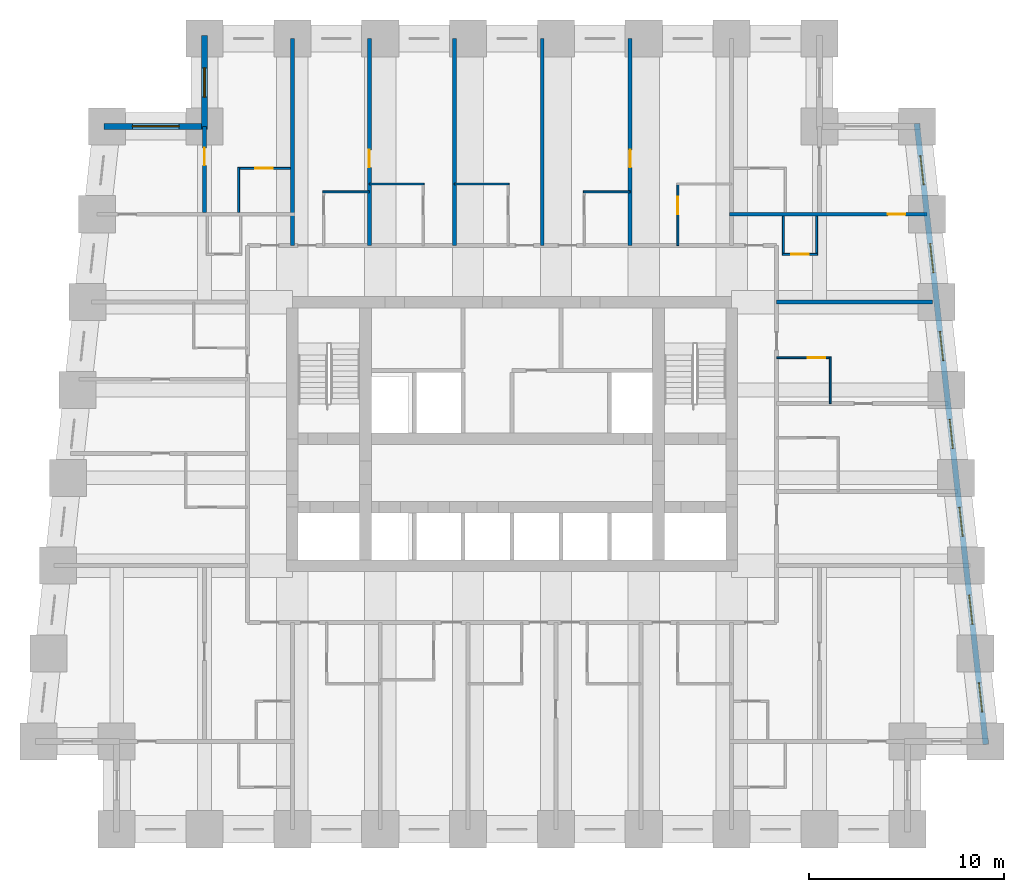
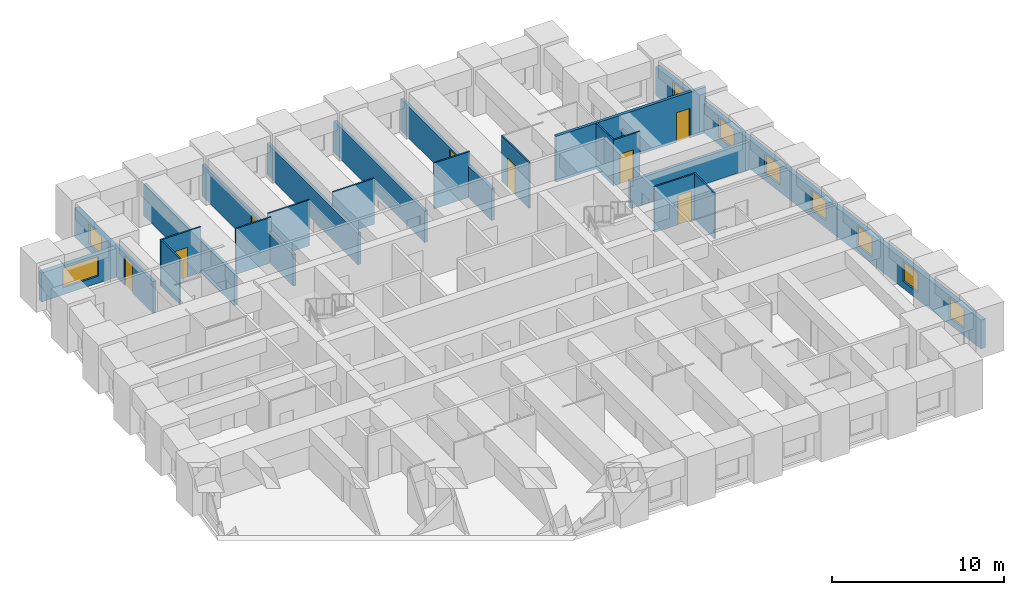
# One storey, part 6 of 8: 23 walls, 9 windows, 8 doors, 17 openings.
"""IFC4 building model written with IfcOpenShell, lengths in metres."""

from ifc_helpers import new_model, si_unit, direction, frame, frame_2d, origin, place, context, subcontext, project, spatial, rectangle, extrude, material, layer, layer_set, type_object, element, fill, save


model = new_model("IFC4")

# Units and contexts
model_context = context("Model", 3, precision=1e-05, world=origin(), true_north=direction((0.0, 1.0)))
body_context = subcontext(model_context, "Body", "Model", "MODEL_VIEW")
ifc_project = project(units=[si_unit("LENGTHUNIT", "METRE"), si_unit("AREAUNIT", "SQUARE_METRE"), si_unit("VOLUMEUNIT", "CUBIC_METRE"), si_unit("PLANEANGLEUNIT", "RADIAN"), si_unit("MASSUNIT", "GRAM", prefix="KILO")], contexts=[model_context])

# Site, building, storey
site_placement = place(None, origin())
site = spatial("IfcSite", under=ifc_project, at=site_placement, CompositionType="ELEMENT")
building_placement = place(site_placement, origin())
building = spatial("IfcBuilding", under=site, at=building_placement, Name="Kilele Tower Hotel", CompositionType="ELEMENT")
storey_placement = place(building_placement, frame((0.0, 0.0, 68.199951171875)))
storey = spatial("IfcBuildingStorey", under=building, at=storey_placement, Name="L16", CompositionType="ELEMENT", Elevation=68.199951171875)

# Wall
ifc_material_1 = material(Name="Moisture-resistant board")
ifc_layer_1 = layer(ifc_material_1, 0.10009765625)
ifc_layer_set_1 = layer_set([ifc_layer_1], Name="Moisture-resistant board")
wall_type_1 = type_object("IfcWallType", Name="Bathroom partition 100", PredefinedType="PLUMBINGWALL", material=ifc_layer_set_1)
wall_1_placement = place(storey_placement, frame((41.050048828125, 21.800048828125, 0.0), z_axis=(0.0, 0.0, 1.0), x_axis=(0.0, 1.0, 0.0)))
element("IfcWall", 1, at=wall_1_placement, inside=storey, type_object=wall_type_1, Name="Bathroom partition 100 L16", PredefinedType="PLUMBINGWALL", context=body_context, shape_type="SweptSolid", body=[
    extrude(rectangle(XDim=2.39990234375, YDim=0.10009765625, at=frame_2d((1.199951171875, 0.0))), origin(), (0.0, 0.0, 1.0), 3.25),
])

# Wall, opening, door
wall_2_placement = place(storey_placement, frame((38.300048828125, 24.14990234375, 0.0), z_axis=(0.0, 0.0, 1.0), x_axis=(1.0, 0.0, 0.0)))
wall_2 = element("IfcWall", 2, at=wall_2_placement, inside=storey, type_object=wall_type_1, Name="Bathroom partition 100 L16", PredefinedType="PLUMBINGWALL", context=body_context, shape_type="SweptSolid", body=[
    extrude(rectangle(XDim=2.800048828125, YDim=0.10009765625, at=frame_2d((1.39990234375, 0.0))), origin(), (0.0, 0.0, 1.0), 3.25),
])
opening_1_placement = place(wall_2_placement, frame((1.60009765625, 0.0, 0.0)))
opening_1 = element("IfcOpeningElement", 3, at=opening_1_placement, cuts=wall_2, Name="Opening D2A", PredefinedType="OPENING", context=body_context, shape_type="SweptSolid", body=[
    extrude(rectangle(XDim=0.89990234375, YDim=2.10009765625, at=frame_2d((0.449951171875, 1.050048828125))), frame((0.0, 0.06005859375, 0.0), z_axis=(0.0, -1.0, 0.0), x_axis=(1.0, 0.0, 0.0)), (0.0, 0.0, 1.0), 0.1201171875),
])
ifc_material_2 = material(Name="Timber door leaf in hardwood frame", Category="wood")
door_type_1 = type_object("IfcDoorType", Name="Bathroom door 900", OperationType="SINGLE_SWING_LEFT", PredefinedType="DOOR", material=ifc_material_2)
door_1_placement = place(opening_1_placement, origin())
door_1 = element("IfcDoor", 4, at=door_1_placement, inside=storey, type_object=door_type_1, Name="Bathroom door 1608B", OperationType="SINGLE_SWING_LEFT", OverallHeight=2.10009765625, OverallWidth=0.89990234375, PredefinedType="DOOR", context=body_context, shape_type="SweptSolid", body=[
    extrude(rectangle(XDim=0.89990234375, YDim=2.10009765625, at=frame_2d((0.449951171875, 1.050048828125))), frame((0.0, 0.02490234375, 0.0), z_axis=(0.0, -1.0, 0.0), x_axis=(1.0, 0.0, 0.0)), (0.0, 0.0, 1.0), 0.050048828125),
])
fill(opening_1, door_1)

# Walls
wall_3_placement = place(storey_placement, frame((15.050048828125, 32.64990234375, 0.0), z_axis=(0.0, 0.0, 1.0), x_axis=(1.0, 0.0, 0.0)))
element("IfcWall", 5, at=wall_3_placement, inside=storey, type_object=wall_type_1, Name="Bathroom partition 100 L16", PredefinedType="PLUMBINGWALL", context=body_context, shape_type="SweptSolid", body=[
    extrude(rectangle(XDim=2.39990234375, YDim=0.10009765625, at=frame_2d((1.199951171875, 0.0))), origin(), (0.0, 0.0, 1.0), 3.25),
])
for number, where, z_axis, x_axis, name in (
    (6, (17.449951171875, 33.050048828125, 0.0), (0.0, 0.0, 1.0), (1.0, 0.0, 0.0), "Bathroom partition 100 L16"),
    (7, (21.800048828125, 33.050048828125, 0.0), (0.0, 0.0, 1.0), (1.0, 0.0, 0.0), "Bathroom partition 100 L16"),
):
    element("IfcWall", number, at=place(storey_placement, frame(where, z_axis=z_axis, x_axis=x_axis)), inside=storey, type_object=wall_type_1, Name=name, PredefinedType="PLUMBINGWALL", context=body_context, shape_type="SweptSolid", body=[
        extrude(rectangle(XDim=2.800048828125, YDim=0.10009765625, at=frame_2d((1.39990234375, 0.0))), origin(), (0.0, 0.0, 1.0), 3.25),
    ])
wall_4_placement = place(storey_placement, frame((28.39990234375, 32.64990234375, 0.0), z_axis=(0.0, 0.0, 1.0), x_axis=(1.0, 0.0, 0.0)))
element("IfcWall", 8, at=wall_4_placement, inside=storey, type_object=wall_type_1, Name="Bathroom partition 100 L16", PredefinedType="PLUMBINGWALL", context=body_context, shape_type="SweptSolid", body=[
    extrude(rectangle(XDim=2.400146484375, YDim=0.10009765625, at=frame_2d((1.2001953125, 0.0))), origin(), (0.0, 0.0, 1.0), 3.25),
])

# Wall, opening, door
wall_5_placement = place(storey_placement, frame((33.25, 29.89990234375, 0.0), z_axis=(0.0, 0.0, 1.0), x_axis=(0.0, 1.0, 0.0)))
wall_5 = element("IfcWall", 9, at=wall_5_placement, inside=storey, type_object=wall_type_1, Name="Bathroom partition 100 L16", PredefinedType="PLUMBINGWALL", context=body_context, shape_type="SweptSolid", body=[
    extrude(rectangle(XDim=3.2001953125, YDim=0.10009765625, at=frame_2d((1.60009765625, 0.0))), origin(), (0.0, 0.0, 1.0), 3.25),
])
opening_2_placement = place(wall_5_placement, frame((1.60009765625, 0.0, 0.0)))
opening_2 = element("IfcOpeningElement", 10, at=opening_2_placement, cuts=wall_5, Name="Opening D2A", PredefinedType="OPENING", context=body_context, shape_type="SweptSolid", body=[
    extrude(rectangle(XDim=0.89990234375, YDim=2.10009765625, at=frame_2d((0.449951171875, 1.050048828125))), frame((0.0, 0.06005859375, 0.0), z_axis=(0.0, -1.0, 0.0), x_axis=(1.0, 0.0, 0.0)), (0.0, 0.0, 1.0), 0.1201171875),
])
door_2_placement = place(opening_2_placement, origin())
door_2 = element("IfcDoor", 11, at=door_2_placement, inside=storey, type_object=door_type_1, Name="Bathroom door 1613B", OperationType="SINGLE_SWING_LEFT", OverallHeight=2.10009765625, OverallWidth=0.89990234375, PredefinedType="DOOR", context=body_context, shape_type="SweptSolid", body=[
    extrude(rectangle(XDim=0.89990234375, YDim=2.10009765625, at=frame_2d((0.449951171875, 1.050048828125))), frame((0.0, 0.02490234375, 0.0), z_axis=(0.0, -1.0, 0.0), x_axis=(1.0, 0.0, 0.0)), (0.0, 0.0, 1.0), 0.050048828125),
])
fill(opening_2, door_2)

# Walls
wall_6_placement = place(storey_placement, frame((40.35009765625, 31.39990234375, 0.0), z_axis=(0.0, 0.0, 1.0), x_axis=(0.0, -1.0, 0.0)))
element("IfcWall", 12, at=wall_6_placement, inside=storey, type_object=wall_type_1, Name="Bathroom partition 100 L16", PredefinedType="PLUMBINGWALL", context=body_context, shape_type="SweptSolid", body=[
    extrude(rectangle(XDim=2.0, YDim=0.10009765625, at=frame_2d((1.0, 0.0))), origin(), (0.0, 0.0, 1.0), 2.25),
])
wall_7_placement = place(storey_placement, frame((38.64990234375, 31.39990234375, 0.0), z_axis=(0.0, 0.0, 1.0), x_axis=(0.0, -1.0, 0.0)))
element("IfcWall", 13, at=wall_7_placement, inside=storey, type_object=wall_type_1, Name="Bathroom partition 100 L16", PredefinedType="PLUMBINGWALL", context=body_context, shape_type="SweptSolid", body=[
    extrude(rectangle(XDim=2.0, YDim=0.10009765625, at=frame_2d((1.0, 0.0))), origin(), (0.0, 0.0, 1.0), 3.25),
])

# Wall, opening, door
wall_8_placement = place(storey_placement, frame((38.60009765625, 29.449951171875, 0.0), z_axis=(0.0, 0.0, 1.0), x_axis=(1.0, 0.0, 0.0)))
wall_8 = element("IfcWall", 14, at=wall_8_placement, inside=storey, type_object=wall_type_1, Name="Bathroom partition 100 L16", PredefinedType="PLUMBINGWALL", context=body_context, shape_type="SweptSolid", body=[
    extrude(rectangle(XDim=1.7998046875, YDim=0.10009765625, at=frame_2d((0.89990234375, 0.0))), origin(), (0.0, 0.0, 1.0), 3.25),
])
opening_3_placement = place(wall_8_placement, frame((1.349853515625, 0.0, 0.0), z_axis=(0.0, 0.0, 1.0), x_axis=(-1.0, 0.0, 0.0)))
opening_3 = element("IfcOpeningElement", 15, at=opening_3_placement, cuts=wall_8, Name="Opening D2A", PredefinedType="OPENING", context=body_context, shape_type="SweptSolid", body=[
    extrude(rectangle(XDim=0.89990234375, YDim=2.10009765625, at=frame_2d((0.449951171875, 1.050048828125))), frame((0.0, 0.06005859375, 0.0), z_axis=(0.0, -1.0, 0.0), x_axis=(1.0, 0.0, 0.0)), (0.0, 0.0, 1.0), 0.1201171875),
])
door_3_placement = place(opening_3_placement, origin())
door_3 = element("IfcDoor", 16, at=door_3_placement, inside=storey, type_object=door_type_1, Name="Bathroom door 1623P", OperationType="SINGLE_SWING_RIGHT", OverallHeight=2.10009765625, OverallWidth=0.89990234375, PredefinedType="DOOR", context=body_context, shape_type="SweptSolid", body=[
    extrude(rectangle(XDim=0.89990234375, YDim=2.10009765625, at=frame_2d((0.449951171875, 1.050048828125))), frame((0.0, 0.02490234375, 0.0), z_axis=(0.0, -1.0, 0.0), x_axis=(1.0, 0.0, 0.0)), (0.0, 0.0, 1.0), 0.050048828125),
])
fill(opening_3, door_3)

# Wall
wall_9_placement = place(storey_placement, frame((10.75, 31.60009765625, 0.0), z_axis=(0.0, 0.0, 1.0), x_axis=(0.0, 1.0, 0.0)))
element("IfcWall", 17, at=wall_9_placement, inside=storey, type_object=wall_type_1, Name="Bathroom partition 100 L16", PredefinedType="PLUMBINGWALL", context=body_context, shape_type="SweptSolid", body=[
    extrude(rectangle(XDim=2.2998046875, YDim=0.10009765625, at=frame_2d((1.14990234375, 0.0))), origin(), (0.0, 0.0, 1.0), 3.25),
])

# Wall, opening, door
wall_10_placement = place(storey_placement, frame((13.39990234375, 33.85009765625, 0.0), z_axis=(0.0, 0.0, 1.0), x_axis=(-1.0, 0.0, 0.0)))
wall_10 = element("IfcWall", 18, at=wall_10_placement, inside=storey, type_object=wall_type_1, Name="Bathroom partition 100 L16", PredefinedType="PLUMBINGWALL", context=body_context, shape_type="SweptSolid", body=[
    extrude(rectangle(XDim=2.699951171875, YDim=0.10009765625, at=frame_2d((1.35009765625, 0.0))), origin(), (0.0, 0.0, 1.0), 3.25),
])
opening_4_placement = place(wall_10_placement, frame((1.7998046875, 0.0, 0.0), z_axis=(0.0, 0.0, 1.0), x_axis=(-1.0, 0.0, 0.0)))
opening_4 = element("IfcOpeningElement", 19, at=opening_4_placement, cuts=wall_10, Name="Opening D2A", PredefinedType="OPENING", context=body_context, shape_type="SweptSolid", body=[
    extrude(rectangle(XDim=0.89990234375, YDim=2.10009765625, at=frame_2d((0.449951171875, 1.050048828125))), frame((0.0, 0.06005859375, 0.0), z_axis=(0.0, -1.0, 0.0), x_axis=(1.0, 0.0, 0.0)), (0.0, 0.0, 1.0), 0.1201171875),
])
door_4_placement = place(opening_4_placement, origin())
door_4 = element("IfcDoor", 20, at=door_4_placement, inside=storey, type_object=door_type_1, Name="Bathroom door 1627B", OperationType="SINGLE_SWING_RIGHT", OverallHeight=2.10009765625, OverallWidth=0.89990234375, PredefinedType="DOOR", context=body_context, shape_type="SweptSolid", body=[
    extrude(rectangle(XDim=0.89990234375, YDim=2.10009765625, at=frame_2d((0.449951171875, 1.050048828125))), frame((0.0, 0.02490234375, 0.0), z_axis=(0.0, -1.0, 0.0), x_axis=(1.0, 0.0, 0.0)), (0.0, 0.0, 1.0), 0.050048828125),
])
fill(opening_4, door_4)

ifc_material_3 = material(Name="Blockwork, plastered both sides", Category="masonry")
ifc_layer_2 = layer(ifc_material_3, 0.199951171875)
ifc_layer_set_2 = layer_set([ifc_layer_2], Name="Blockwork, plastered both sides")
wall_type_2 = type_object("IfcWallType", Name="Partition wall 200", PredefinedType="PARTITIONING", material=ifc_layer_set_2)
wall_11_placement = place(storey_placement, frame((9.0, 31.60009765625, 0.0), z_axis=(0.0, 0.0, 1.0), x_axis=(0.0, 1.0, 0.0)))
wall_11 = element("IfcWall", 21, at=wall_11_placement, inside=storey, type_object=wall_type_2, Name="Partition wall 200 L16", PredefinedType="PARTITIONING", context=body_context, shape_type="SweptSolid", body=[
    extrude(rectangle(XDim=4.39990234375, YDim=0.199951171875, at=frame_2d((2.199951171875, 0.0))), origin(), (0.0, 0.0, 1.0), 2.25),
])
opening_5_placement = place(wall_11_placement, frame((2.39990234375, 0.0, 0.0)))
opening_5 = element("IfcOpeningElement", 22, at=opening_5_placement, cuts=wall_11, Name="Opening D3", PredefinedType="OPENING", context=body_context, shape_type="SweptSolid", body=[
    extrude(rectangle(XDim=0.89990234375, YDim=2.10009765625, at=frame_2d((0.449951171875, 1.050048828125))), frame((0.0, 0.10986328125, 0.0), z_axis=(0.0, -1.0, 0.0), x_axis=(1.0, 0.0, 0.0)), (0.0, 0.0, 1.0), 0.219970703125),
])
ifc_material_4 = material(Name="Timber door leaf in hardwood frame", Category="wood")
door_type_2 = type_object("IfcDoorType", Name="Suite internal door 900", OperationType="SINGLE_SWING_LEFT", PredefinedType="DOOR", material=ifc_material_4)
door_5_placement = place(opening_5_placement, origin())
door_5 = element("IfcDoor", 23, at=door_5_placement, inside=storey, type_object=door_type_2, Name="Suite door 1628", OperationType="SINGLE_SWING_RIGHT", OverallHeight=2.10009765625, OverallWidth=0.89990234375, PredefinedType="DOOR", context=body_context, shape_type="SweptSolid", body=[
    extrude(rectangle(XDim=0.89990234375, YDim=2.10009765625, at=frame_2d((0.449951171875, 1.050048828125))), frame((0.0, 0.02490234375, 0.0), z_axis=(0.0, -1.0, 0.0), x_axis=(1.0, 0.0, 0.0)), (0.0, 0.0, 1.0), 0.050048828125),
])
fill(opening_5, door_5)

ifc_material_5 = material(Name="Blockwork, plastered both sides", Category="masonry")
ifc_layer_3 = layer(ifc_material_5, 0.199951171875)
ifc_layer_set_3 = layer_set([ifc_layer_3], Name="Blockwork, plastered both sides")
wall_type_3 = type_object("IfcWallType", Name="Party wall 200", PredefinedType="PARTITIONING", material=ifc_layer_set_3)
wall_12_placement = place(storey_placement, frame((17.449951171875, 29.89990234375, 0.0), z_axis=(0.0, 0.0, 1.0), x_axis=(0.0, 1.0, 0.0)))
wall_12 = element("IfcWall", 24, at=wall_12_placement, inside=storey, type_object=wall_type_3, Name="Party wall 200 L16", PredefinedType="PARTITIONING", context=body_context, shape_type="SweptSolid", body=[
    extrude(rectangle(XDim=10.60009765625, YDim=0.199951171875, at=frame_2d((5.300048828125, 0.0))), origin(), (0.0, 0.0, 1.0), 2.25),
])
opening_6_placement = place(wall_12_placement, frame((4.89990234375, 0.0, 0.0), z_axis=(0.0, 0.0, 1.0), x_axis=(-1.0, 0.0, 0.0)))
opening_6 = element("IfcOpeningElement", 25, at=opening_6_placement, cuts=wall_12, Name="Opening D3", PredefinedType="OPENING", context=body_context, shape_type="SweptSolid", body=[
    extrude(rectangle(XDim=0.89990234375, YDim=2.10009765625, at=frame_2d((0.449951171875, 1.050048828125))), frame((0.0, 0.10986328125, 0.0), z_axis=(0.0, -1.0, 0.0), x_axis=(1.0, 0.0, 0.0)), (0.0, 0.0, 1.0), 0.219970703125),
])
door_6_placement = place(opening_6_placement, origin())
door_6 = element("IfcDoor", 26, at=door_6_placement, inside=storey, type_object=door_type_2, Name="Suite door 1610", OperationType="SINGLE_SWING_RIGHT", OverallHeight=2.10009765625, OverallWidth=0.89990234375, PredefinedType="DOOR", context=body_context, shape_type="SweptSolid", body=[
    extrude(rectangle(XDim=0.89990234375, YDim=2.10009765625, at=frame_2d((0.449951171875, 1.050048828125))), frame((0.0, 0.02490234375, 0.0), z_axis=(0.0, -1.0, 0.0), x_axis=(1.0, 0.0, 0.0)), (0.0, 0.0, 1.0), 0.050048828125),
])
fill(opening_6, door_6)

# Walls
for number, where, z_axis, x_axis, name in (
    (27, (21.800048828125, 29.89990234375, 0.0), (0.0, 0.0, 1.0), (0.0, 1.0, 0.0), "Party wall 200 L16"),
    (28, (26.300048828125, 29.89990234375, 0.0), (0.0, 0.0, 1.0), (0.0, 1.0, 0.0), "Party wall 200 L16"),
):
    element("IfcWall", number, at=place(storey_placement, frame(where, z_axis=z_axis, x_axis=x_axis)), inside=storey, type_object=wall_type_3, Name=name, PredefinedType="PARTITIONING", context=body_context, shape_type="SweptSolid", body=[
        extrude(rectangle(XDim=10.60009765625, YDim=0.199951171875, at=frame_2d((5.300048828125, 0.0))), origin(), (0.0, 0.0, 1.0), 2.25),
    ])

# Wall, opening, door
wall_13_placement = place(storey_placement, frame((30.800048828125, 29.89990234375, 0.0), z_axis=(0.0, 0.0, 1.0), x_axis=(0.0, 1.0, 0.0)))
wall_13 = element("IfcWall", 29, at=wall_13_placement, inside=storey, type_object=wall_type_3, Name="Party wall 200 L16", PredefinedType="PARTITIONING", context=body_context, shape_type="SweptSolid", body=[
    extrude(rectangle(XDim=10.60009765625, YDim=0.199951171875, at=frame_2d((5.300048828125, 0.0))), origin(), (0.0, 0.0, 1.0), 2.25),
])
opening_7_placement = place(wall_13_placement, frame((4.0, 0.0, 0.0)))
opening_7 = element("IfcOpeningElement", 30, at=opening_7_placement, cuts=wall_13, Name="Opening D3", PredefinedType="OPENING", context=body_context, shape_type="SweptSolid", body=[
    extrude(rectangle(XDim=0.89990234375, YDim=2.10009765625, at=frame_2d((0.449951171875, 1.050048828125))), frame((0.0, 0.10986328125, 0.0), z_axis=(0.0, -1.0, 0.0), x_axis=(1.0, 0.0, 0.0)), (0.0, 0.0, 1.0), 0.219970703125),
])
door_7_placement = place(opening_7_placement, origin())
door_7 = element("IfcDoor", 31, at=door_7_placement, inside=storey, type_object=door_type_2, Name="Suite door 1613", OperationType="SINGLE_SWING_LEFT", OverallHeight=2.10009765625, OverallWidth=0.89990234375, PredefinedType="DOOR", context=body_context, shape_type="SweptSolid", body=[
    extrude(rectangle(XDim=0.89990234375, YDim=2.10009765625, at=frame_2d((0.449951171875, 1.050048828125))), frame((0.0, 0.02490234375, 0.0), z_axis=(0.0, -1.0, 0.0), x_axis=(1.0, 0.0, 0.0)), (0.0, 0.0, 1.0), 0.050048828125),
])
fill(opening_7, door_7)

# Wall
wall_14_placement = place(storey_placement, frame((38.300048828125, 27.0, 0.0), z_axis=(0.0, 0.0, 1.0), x_axis=(1.0, 0.0, 0.0)))
element("IfcWall", 32, at=wall_14_placement, inside=storey, type_object=wall_type_3, Name="Party wall 200 L16", PredefinedType="PARTITIONING", context=body_context, shape_type="SweptSolid", body=[
    extrude(rectangle(XDim=7.976806640625, YDim=0.199951171875, at=frame_2d((3.98828125, 0.0))), origin(), (0.0, 0.0, 1.0), 1.949951171875),
])

# Wall, opening, door
wall_15_placement = place(storey_placement, frame((35.89990234375, 31.5, 0.0), z_axis=(0.0, 0.0, 1.0), x_axis=(1.0, 0.0, 0.0)))
wall_15 = element("IfcWall", 33, at=wall_15_placement, inside=storey, type_object=wall_type_3, Name="Party wall 200 L16", PredefinedType="PARTITIONING", context=body_context, shape_type="SweptSolid", body=[
    extrude(rectangle(XDim=10.09912109375, YDim=0.199951171875, at=frame_2d((5.049560546875, 0.0))), origin(), (0.0, 0.0, 1.0), 3.25),
])
opening_8_placement = place(wall_15_placement, frame((8.09912109375, 0.0, 0.0)))
opening_8 = element("IfcOpeningElement", 34, at=opening_8_placement, cuts=wall_15, Name="Opening D3", PredefinedType="OPENING", context=body_context, shape_type="SweptSolid", body=[
    extrude(rectangle(XDim=0.89990234375, YDim=2.10009765625, at=frame_2d((0.449951171875, 1.050048828125))), frame((0.0, 0.10986328125, 0.0), z_axis=(0.0, -1.0, 0.0), x_axis=(1.0, 0.0, 0.0)), (0.0, 0.0, 1.0), 0.219970703125),
])
door_8_placement = place(opening_8_placement, origin())
door_8 = element("IfcDoor", 35, at=door_8_placement, inside=storey, type_object=door_type_2, Name="Suite door 1624", OperationType="SINGLE_SWING_RIGHT", OverallHeight=2.10009765625, OverallWidth=0.89990234375, PredefinedType="DOOR", context=body_context, shape_type="SweptSolid", body=[
    extrude(rectangle(XDim=0.89990234375, YDim=2.10009765625, at=frame_2d((0.449951171875, 1.050048828125))), frame((0.0, 0.02490234375, 0.0), z_axis=(0.0, -1.0, 0.0), x_axis=(1.0, 0.0, 0.0)), (0.0, 0.0, 1.0), 0.050048828125),
])
fill(opening_8, door_8)

# Wall
wall_16_placement = place(storey_placement, frame((13.5, 29.89990234375, 0.0), z_axis=(0.0, 0.0, 1.0), x_axis=(0.0, 1.0, 0.0)))
element("IfcWall", 36, at=wall_16_placement, inside=storey, type_object=wall_type_3, Name="Party wall 200 L16", PredefinedType="PARTITIONING", context=body_context, shape_type="SweptSolid", body=[
    extrude(rectangle(XDim=10.60009765625, YDim=0.199951171875, at=frame_2d((5.300048828125, 0.0))), origin(), (0.0, 0.0, 1.0), 2.25),
])

# Wall, openings, windows
ifc_material_6 = material(Name="Concrete C40/50 precast", Category="concrete")
ifc_layer_4 = layer(ifc_material_6, 0.260009765625, Name="Precast backing", Category="LoadBearing")
ifc_material_7 = material(Name="Reconstituted stone finish", Category="masonry")
ifc_layer_5 = layer(ifc_material_7, 0.0400390625, Name="Face mix", Category="Finish")
ifc_layer_set_4 = layer_set([ifc_layer_4, ifc_layer_5], Name="Precast concrete C40/50, reconstituted stone finish")
wall_type_4 = type_object("IfcWallType", Name="Precast stone facade wall 300", PredefinedType="STANDARD", material=ifc_layer_set_4)
wall_17_placement = place(storey_placement, frame((49.0166015625, 4.350830078125, 0.0), z_axis=(0.0, 0.0, 1.0), x_axis=(-0.110433201132, 0.993883548555, 0.0)))
wall_17 = element("IfcWall", 37, at=wall_17_placement, inside=storey, type_object=wall_type_4, Name="Facade wall L16 edge 6", PredefinedType="STANDARD", context=body_context, shape_type="SweptSolid", body=[
    extrude(rectangle(XDim=31.994140625, YDim=0.300048828125, at=frame_2d((15.9970703125, 0.0))), origin(), (0.0, 0.0, 1.0), 2.050048828125),
])
opening_9_placement = place(wall_17_placement, frame((1.6640625, 0.0, 0.5)))
opening_9 = element("IfcOpeningElement", 38, at=opening_9_placement, cuts=wall_17, Name="Opening W1", PredefinedType="OPENING", context=body_context, shape_type="SweptSolid", body=[
    extrude(rectangle(XDim=1.5, YDim=1.39990234375, at=frame_2d((0.75, 0.699951171875))), frame((0.0, 0.159912109375, 0.0), z_axis=(0.0, -1.0, 0.0), x_axis=(1.0, 0.0, 0.0)), (0.0, 0.0, 1.0), 0.320068359375),
])
opening_10_placement = place(wall_17_placement, frame((6.19189453125, 0.0, 0.5)))
opening_10 = element("IfcOpeningElement", 39, at=opening_10_placement, cuts=wall_17, Name="Opening W1", PredefinedType="OPENING", context=body_context, shape_type="SweptSolid", body=[
    extrude(rectangle(XDim=1.5, YDim=1.39990234375, at=frame_2d((0.75, 0.699951171875))), frame((0.0, 0.159912109375, 0.0), z_axis=(0.0, -1.0, 0.0), x_axis=(1.0, 0.0, 0.0)), (0.0, 0.0, 1.0), 0.320068359375),
])
opening_11_placement = place(wall_17_placement, frame((10.718994140625, 0.0, 0.5)))
opening_11 = element("IfcOpeningElement", 40, at=opening_11_placement, cuts=wall_17, Name="Opening W1", PredefinedType="OPENING", context=body_context, shape_type="SweptSolid", body=[
    extrude(rectangle(XDim=1.5, YDim=1.39990234375, at=frame_2d((0.75, 0.699951171875))), frame((0.0, 0.159912109375, 0.0), z_axis=(0.0, -1.0, 0.0), x_axis=(1.0, 0.0, 0.0)), (0.0, 0.0, 1.0), 0.320068359375),
])
opening_12_placement = place(wall_17_placement, frame((15.2470703125, 0.0, 0.5)))
opening_12 = element("IfcOpeningElement", 41, at=opening_12_placement, cuts=wall_17, Name="Opening W1", PredefinedType="OPENING", context=body_context, shape_type="SweptSolid", body=[
    extrude(rectangle(XDim=1.5, YDim=1.39990234375, at=frame_2d((0.75, 0.699951171875))), frame((0.0, 0.159912109375, 0.0), z_axis=(0.0, -1.0, 0.0), x_axis=(1.0, 0.0, 0.0)), (0.0, 0.0, 1.0), 0.320068359375),
])
opening_13_placement = place(wall_17_placement, frame((19.77490234375, 0.0, 0.5)))
opening_13 = element("IfcOpeningElement", 42, at=opening_13_placement, cuts=wall_17, Name="Opening W1", PredefinedType="OPENING", context=body_context, shape_type="SweptSolid", body=[
    extrude(rectangle(XDim=1.5, YDim=1.39990234375, at=frame_2d((0.75, 0.699951171875))), frame((0.0, 0.159912109375, 0.0), z_axis=(0.0, -1.0, 0.0), x_axis=(1.0, 0.0, 0.0)), (0.0, 0.0, 1.0), 0.320068359375),
])
opening_14_placement = place(wall_17_placement, frame((24.302001953125, 0.0, 0.5)))
opening_14 = element("IfcOpeningElement", 43, at=opening_14_placement, cuts=wall_17, Name="Opening W1", PredefinedType="OPENING", context=body_context, shape_type="SweptSolid", body=[
    extrude(rectangle(XDim=1.5, YDim=1.39990234375, at=frame_2d((0.75, 0.699951171875))), frame((0.0, 0.159912109375, 0.0), z_axis=(0.0, -1.0, 0.0), x_axis=(1.0, 0.0, 0.0)), (0.0, 0.0, 1.0), 0.320068359375),
])
opening_15_placement = place(wall_17_placement, frame((28.830078125, 0.0, 0.5)))
opening_15 = element("IfcOpeningElement", 44, at=opening_15_placement, cuts=wall_17, Name="Opening W1", PredefinedType="OPENING", context=body_context, shape_type="SweptSolid", body=[
    extrude(rectangle(XDim=1.5, YDim=1.39990234375, at=frame_2d((0.75, 0.699951171875))), frame((0.0, 0.159912109375, 0.0), z_axis=(0.0, -1.0, 0.0), x_axis=(1.0, 0.0, 0.0)), (0.0, 0.0, 1.0), 0.320068359375),
])
ifc_material_8 = material(Name="Aluminium frame, clear double glazing", Category="aluminium")
window_type_1 = type_object("IfcWindowType", Name="Window W1 1500 x 1400", PartitioningType="SINGLE_PANEL", PredefinedType="WINDOW", material=ifc_material_8)
window_1_placement = place(opening_9_placement, origin())
window_1 = element("IfcWindow", 45, at=window_1_placement, inside=storey, type_object=window_type_1, Name="Window L16", OverallHeight=1.39990234375, OverallWidth=1.5, PartitioningType="SINGLE_PANEL", PredefinedType="WINDOW", context=body_context, shape_type="SweptSolid", body=[
    extrude(rectangle(XDim=1.5, YDim=1.39990234375, at=frame_2d((0.75, 0.699951171875))), frame((0.0, 0.030029296875, 0.0), z_axis=(0.0, -1.0, 0.0), x_axis=(1.0, 0.0, 0.0)), (0.0, 0.0, 1.0), 0.06005859375),
])
fill(opening_9, window_1)
window_2_placement = place(opening_10_placement, origin())
window_2 = element("IfcWindow", 46, at=window_2_placement, inside=storey, type_object=window_type_1, Name="Window L16", OverallHeight=1.39990234375, OverallWidth=1.5, PartitioningType="SINGLE_PANEL", PredefinedType="WINDOW", context=body_context, shape_type="SweptSolid", body=[
    extrude(rectangle(XDim=1.5, YDim=1.39990234375, at=frame_2d((0.75, 0.699951171875))), frame((0.0, 0.030029296875, 0.0), z_axis=(0.0, -1.0, 0.0), x_axis=(1.0, 0.0, 0.0)), (0.0, 0.0, 1.0), 0.06005859375),
])
fill(opening_10, window_2)
window_3_placement = place(opening_11_placement, origin())
window_3 = element("IfcWindow", 47, at=window_3_placement, inside=storey, type_object=window_type_1, Name="Window L16", OverallHeight=1.39990234375, OverallWidth=1.5, PartitioningType="SINGLE_PANEL", PredefinedType="WINDOW", context=body_context, shape_type="SweptSolid", body=[
    extrude(rectangle(XDim=1.5, YDim=1.39990234375, at=frame_2d((0.75, 0.699951171875))), frame((0.0, 0.030029296875, 0.0), z_axis=(0.0, -1.0, 0.0), x_axis=(1.0, 0.0, 0.0)), (0.0, 0.0, 1.0), 0.06005859375),
])
fill(opening_11, window_3)
window_4_placement = place(opening_12_placement, origin())
window_4 = element("IfcWindow", 48, at=window_4_placement, inside=storey, type_object=window_type_1, Name="Window L16", OverallHeight=1.39990234375, OverallWidth=1.5, PartitioningType="SINGLE_PANEL", PredefinedType="WINDOW", context=body_context, shape_type="SweptSolid", body=[
    extrude(rectangle(XDim=1.5, YDim=1.39990234375, at=frame_2d((0.75, 0.699951171875))), frame((0.0, 0.030029296875, 0.0), z_axis=(0.0, -1.0, 0.0), x_axis=(1.0, 0.0, 0.0)), (0.0, 0.0, 1.0), 0.06005859375),
])
fill(opening_12, window_4)
window_5_placement = place(opening_13_placement, origin())
window_5 = element("IfcWindow", 49, at=window_5_placement, inside=storey, type_object=window_type_1, Name="Window L16", OverallHeight=1.39990234375, OverallWidth=1.5, PartitioningType="SINGLE_PANEL", PredefinedType="WINDOW", context=body_context, shape_type="SweptSolid", body=[
    extrude(rectangle(XDim=1.5, YDim=1.39990234375, at=frame_2d((0.75, 0.699951171875))), frame((0.0, 0.030029296875, 0.0), z_axis=(0.0, -1.0, 0.0), x_axis=(1.0, 0.0, 0.0)), (0.0, 0.0, 1.0), 0.06005859375),
])
fill(opening_13, window_5)
window_6_placement = place(opening_14_placement, origin())
window_6 = element("IfcWindow", 50, at=window_6_placement, inside=storey, type_object=window_type_1, Name="Window L16", OverallHeight=1.39990234375, OverallWidth=1.5, PartitioningType="SINGLE_PANEL", PredefinedType="WINDOW", context=body_context, shape_type="SweptSolid", body=[
    extrude(rectangle(XDim=1.5, YDim=1.39990234375, at=frame_2d((0.75, 0.699951171875))), frame((0.0, 0.030029296875, 0.0), z_axis=(0.0, -1.0, 0.0), x_axis=(1.0, 0.0, 0.0)), (0.0, 0.0, 1.0), 0.06005859375),
])
fill(opening_14, window_6)
window_7_placement = place(opening_15_placement, origin())
window_7 = element("IfcWindow", 51, at=window_7_placement, inside=storey, type_object=window_type_1, Name="Window L16", OverallHeight=1.39990234375, OverallWidth=1.5, PartitioningType="SINGLE_PANEL", PredefinedType="WINDOW", context=body_context, shape_type="SweptSolid", body=[
    extrude(rectangle(XDim=1.5, YDim=1.39990234375, at=frame_2d((0.75, 0.699951171875))), frame((0.0, 0.030029296875, 0.0), z_axis=(0.0, -1.0, 0.0), x_axis=(1.0, 0.0, 0.0)), (0.0, 0.0, 1.0), 0.06005859375),
])
fill(opening_15, window_7)

# Wall, opening, window
wall_18_placement = place(storey_placement, frame((9.0, 40.64990234375, 0.0), z_axis=(0.0, 0.0, 1.0), x_axis=(0.0, -1.0, 0.0)))
wall_18 = element("IfcWall", 52, at=wall_18_placement, inside=storey, type_object=wall_type_4, Name="Facade wall L16 edge 10", PredefinedType="STANDARD", context=body_context, shape_type="SweptSolid", body=[
    extrude(rectangle(XDim=4.7998046875, YDim=0.300048828125, at=frame_2d((2.39990234375, 0.0))), origin(), (0.0, 0.0, 1.0), 2.050048828125),
])
opening_16_placement = place(wall_18_placement, frame((1.64990234375, 0.0, 0.5)))
opening_16 = element("IfcOpeningElement", 53, at=opening_16_placement, cuts=wall_18, Name="Opening W1", PredefinedType="OPENING", context=body_context, shape_type="SweptSolid", body=[
    extrude(rectangle(XDim=1.5, YDim=1.39990234375, at=frame_2d((0.75, 0.699951171875))), frame((0.0, 0.159912109375, 0.0), z_axis=(0.0, -1.0, 0.0), x_axis=(1.0, 0.0, 0.0)), (0.0, 0.0, 1.0), 0.320068359375),
])
window_8_placement = place(opening_16_placement, origin())
window_8 = element("IfcWindow", 54, at=window_8_placement, inside=storey, type_object=window_type_1, Name="Window L16", OverallHeight=1.39990234375, OverallWidth=1.5, PartitioningType="SINGLE_PANEL", PredefinedType="WINDOW", context=body_context, shape_type="SweptSolid", body=[
    extrude(rectangle(XDim=1.5, YDim=1.39990234375, at=frame_2d((0.75, 0.699951171875))), frame((0.0, 0.030029296875, 0.0), z_axis=(0.0, -1.0, 0.0), x_axis=(1.0, 0.0, 0.0)), (0.0, 0.0, 1.0), 0.06005859375),
])
fill(opening_16, window_8)

wall_19_placement = place(storey_placement, frame((9.14990234375, 36.0, 0.0), z_axis=(0.0, 0.0, 1.0), x_axis=(-1.0, 0.0, 0.0)))
wall_19 = element("IfcWall", 55, at=wall_19_placement, inside=storey, type_object=wall_type_4, Name="Facade wall L16 edge 11", PredefinedType="STANDARD", context=body_context, shape_type="SweptSolid", body=[
    extrude(rectangle(XDim=5.2998046875, YDim=0.300048828125, at=frame_2d((2.64990234375, 0.0))), origin(), (0.0, 0.0, 1.0), 2.050048828125),
])
opening_17_placement = place(wall_19_placement, frame((1.449951171875, 0.0, 0.5)))
opening_17 = element("IfcOpeningElement", 56, at=opening_17_placement, cuts=wall_19, Name="Opening W1", PredefinedType="OPENING", context=body_context, shape_type="SweptSolid", body=[
    extrude(rectangle(XDim=2.39990234375, YDim=1.39990234375, at=frame_2d((1.199951171875, 0.699951171875))), frame((0.0, 0.159912109375, 0.0), z_axis=(0.0, -1.0, 0.0), x_axis=(1.0, 0.0, 0.0)), (0.0, 0.0, 1.0), 0.320068359375),
])
ifc_material_9 = material(Name="Aluminium frame, clear double glazing", Category="aluminium")
window_type_2 = type_object("IfcWindowType", Name="Window W1 2400 x 1400", PartitioningType="SINGLE_PANEL", PredefinedType="WINDOW", material=ifc_material_9)
window_9_placement = place(opening_17_placement, origin())
window_9 = element("IfcWindow", 57, at=window_9_placement, inside=storey, type_object=window_type_2, Name="Window L16", OverallHeight=1.39990234375, OverallWidth=2.39990234375, PartitioningType="SINGLE_PANEL", PredefinedType="WINDOW", context=body_context, shape_type="SweptSolid", body=[
    extrude(rectangle(XDim=2.39990234375, YDim=1.39990234375, at=frame_2d((1.199951171875, 0.699951171875))), frame((0.0, 0.030029296875, 0.0), z_axis=(0.0, -1.0, 0.0), x_axis=(1.0, 0.0, 0.0)), (0.0, 0.0, 1.0), 0.06005859375),
])
fill(opening_17, window_9)

save(model, "model.ifc")
